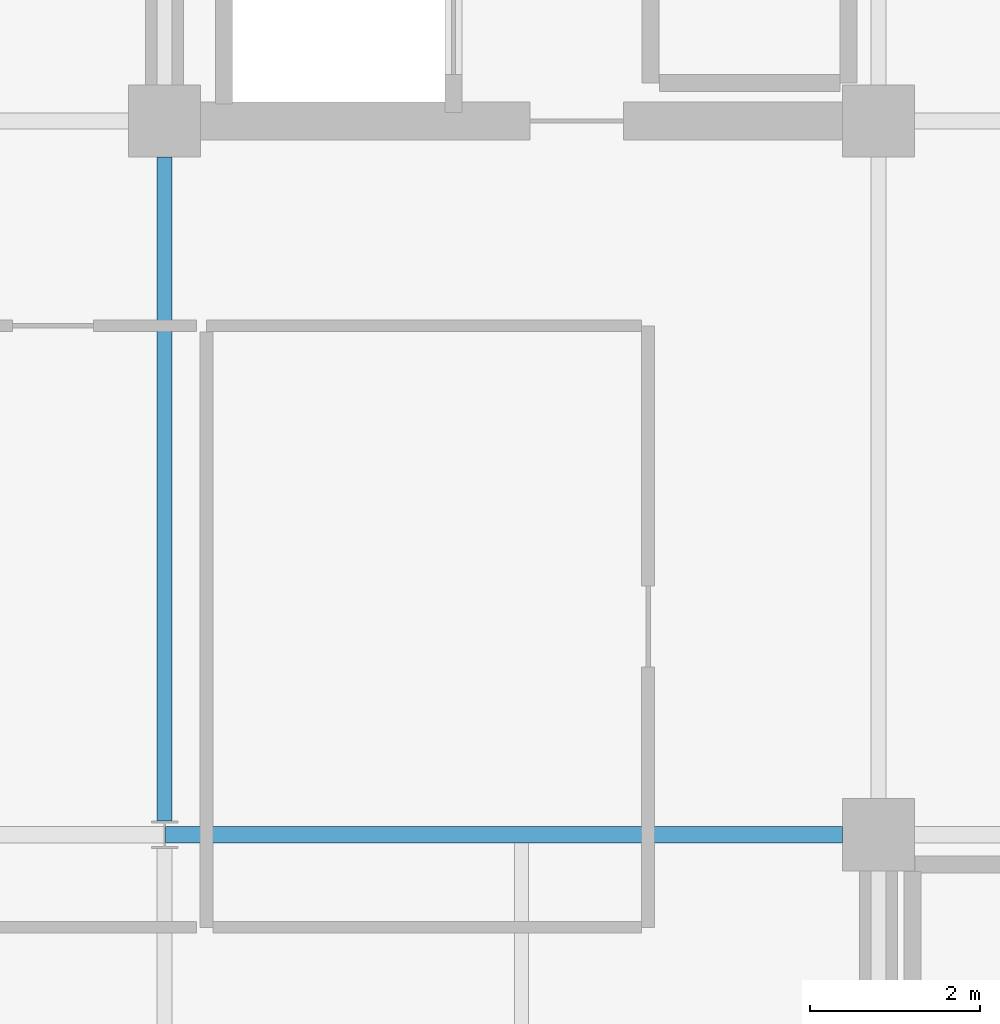
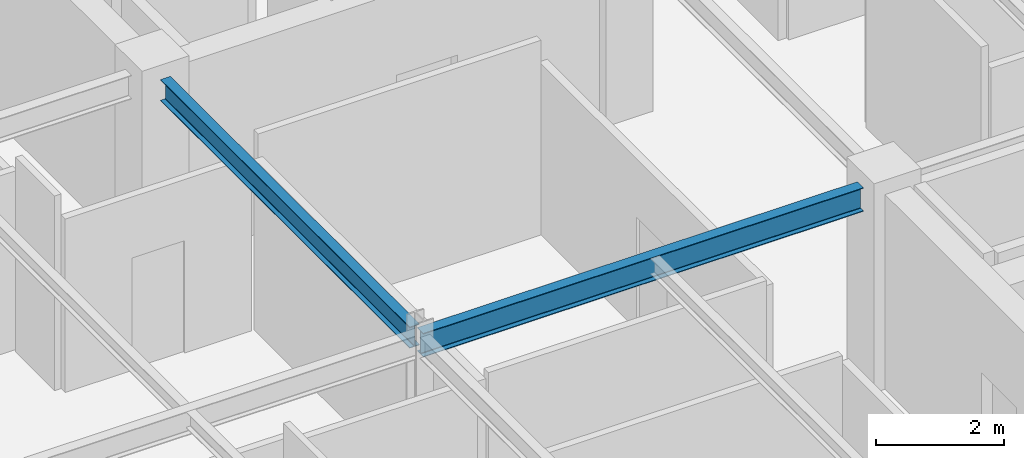
# One storey, part 10 of 24: 2 beams.
"""IFC4 building model written with IfcOpenShell, lengths in metres."""

from ifc_helpers import new_model, si_unit, direction, frame, origin, origin_2d, place, context, subcontext, project, spatial, i_section, extrude, material, material_profile, profile_set, type_object, element, save


model = new_model("IFC4")

# Units and contexts
model_context = context("Model", 3, precision=1e-05, world=origin(), true_north=direction((0.0, 1.0)))
body_context = subcontext(model_context, "Body", "Model", "MODEL_VIEW")
ifc_project = project(units=[si_unit("LENGTHUNIT", "METRE"), si_unit("AREAUNIT", "SQUARE_METRE"), si_unit("VOLUMEUNIT", "CUBIC_METRE"), si_unit("PLANEANGLEUNIT", "RADIAN"), si_unit("MASSUNIT", "GRAM", prefix="KILO")], contexts=[model_context])

# Site, building, storey
site_placement = place(None, origin())
site = spatial("IfcSite", under=ifc_project, at=site_placement, CompositionType="ELEMENT")
building_placement = place(site_placement, origin())
building = spatial("IfcBuilding", under=site, at=building_placement, Name="Nerrivon Quay Data Exchange", CompositionType="ELEMENT")
storey_placement = place(building_placement, frame((0.0, 0.0, 310.199951171875)))
storey = spatial("IfcBuildingStorey", under=building, at=storey_placement, Name="L74", CompositionType="ELEMENT", Elevation=310.199951171875)

# Beams
ifc_material = material(Name="Steel Grade 350", Category="steel")
ifc_material_profile_1 = material_profile(ifc_material, i_section(OverallWidth=0.18994140625, OverallDepth=0.4541015625, WebThickness=0.008544921875, FlangeThickness=0.0126953125, FilletRadius=0.011474609375, at=origin_2d()), Name="460UB67.1")
ifc_profile_set_1 = profile_set([ifc_material_profile_1], Name="Steel Grade 350")
beam_type_1 = type_object("IfcBeamType", Name="BM-G6-460UB67", PredefinedType="BEAM", material=ifc_profile_set_1)
beam_1_placement = place(storey_placement, frame((8.40771484375, 16.800048828125, 3.498046875), z_axis=(1.0, 0.0, 0.0), x_axis=(0.0, 1.0, 0.0)))
element("IfcBeam", 1, at=beam_1_placement, inside=storey, type_object=beam_type_1, Name="L74 EW Girder Y=16.8 (8.4..16.8)", PredefinedType="BEAM", context=body_context, shape_type="SweptSolid", body=[
    extrude(i_section(OverallWidth=0.18994140625, OverallDepth=0.4541015625, WebThickness=0.008544921875, FlangeThickness=0.0126953125, FilletRadius=0.011474609375, at=origin_2d()), origin(), (0.0, 0.0, 1.0), 7.96728515625),
])
ifc_material_profile_2 = material_profile(ifc_material, i_section(OverallWidth=0.177978515625, OverallDepth=0.406005859375, WebThickness=0.0078125, FlangeThickness=0.0126953125, FilletRadius=0.011474609375, at=origin_2d()), Name="410UB59.7")
ifc_profile_set_2 = profile_set([ifc_material_profile_2], Name="Steel Grade 350")
beam_type_2 = type_object("IfcBeamType", Name="BM-J1-410UB60", PredefinedType="JOIST", material=ifc_profile_set_2)
beam_2_placement = place(storey_placement, frame((8.39990234375, 16.96337890625, 3.52197265625), z_axis=(0.0, 1.0, 0.0), x_axis=(-1.0, 0.0, 0.0)))
element("IfcBeam", 2, at=beam_2_placement, inside=storey, type_object=beam_type_2, Name="L74 NS Girder X=8.4 (16.8..25.2)", PredefinedType="JOIST", context=body_context, shape_type="SweptSolid", body=[
    extrude(i_section(OverallWidth=0.177978515625, OverallDepth=0.406005859375, WebThickness=0.0078125, FlangeThickness=0.0126953125, FilletRadius=0.011474609375, at=origin_2d()), origin(), (0.0, 0.0, 1.0), 7.8115234375),
])

save(model, "model.ifc")
